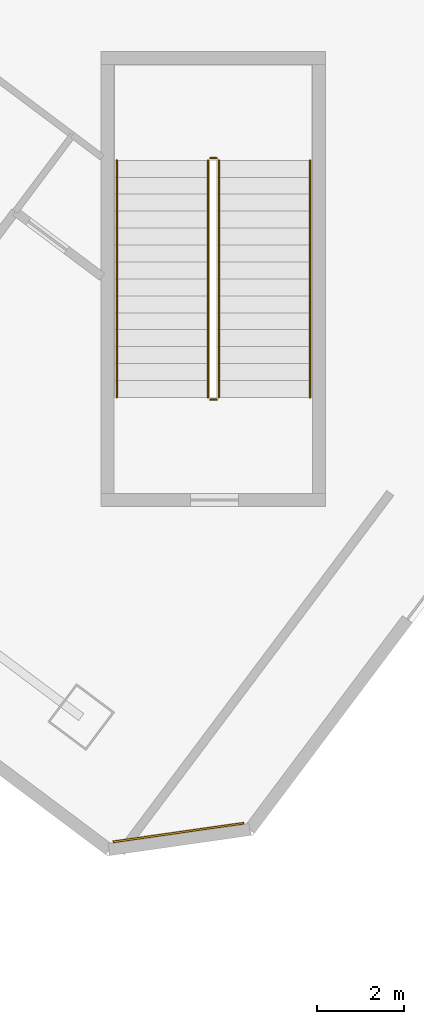
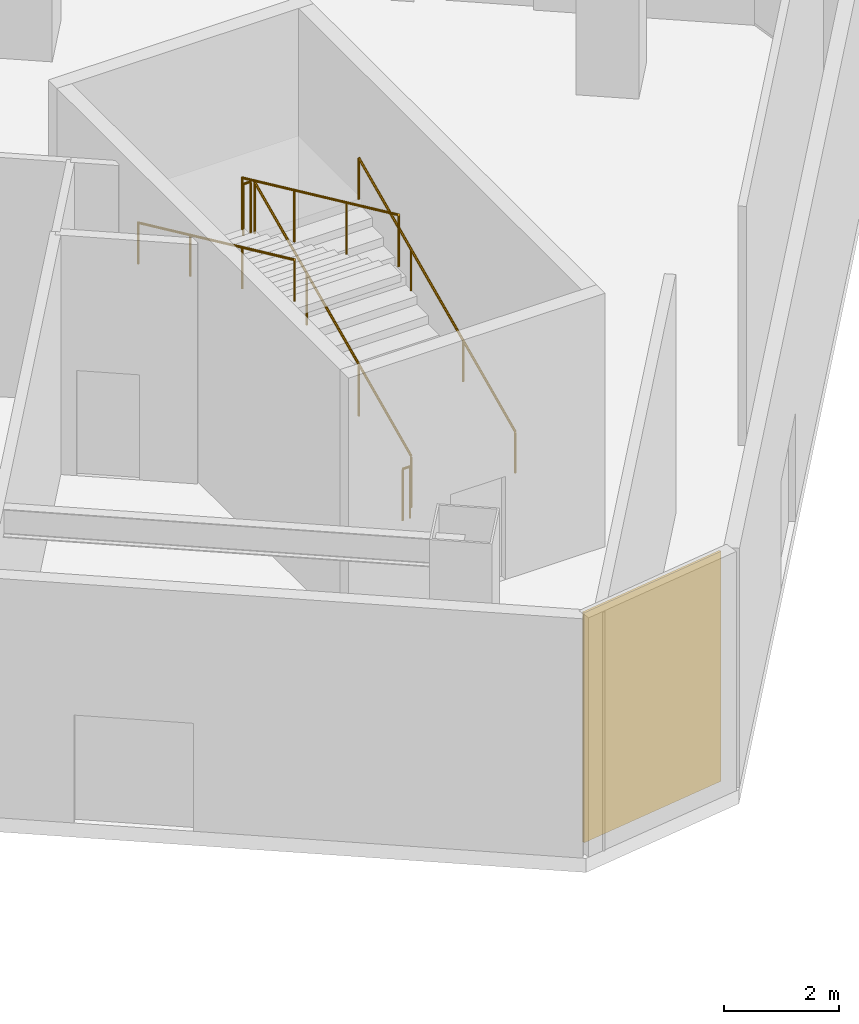
# One storey, part 9 of 13: 6 railings, 1 covering.
"""IFC4 building model written with IfcOpenShell, lengths in metres."""

from ifc_helpers import new_model, si_unit, direction, frame, origin, origin_2d, place, context, subcontext, project, spatial, rectangle, circle, extrude, material, layer, layer_set, type_object, element, save


model = new_model("IFC4")

# Units and contexts
model_context = context("Model", 3, precision=1e-05, world=origin(), true_north=direction((0.0, 1.0)))
body_context = subcontext(model_context, "Body", "Model", "MODEL_VIEW")
ifc_project = project(units=[si_unit("LENGTHUNIT", "METRE"), si_unit("AREAUNIT", "SQUARE_METRE"), si_unit("VOLUMEUNIT", "CUBIC_METRE"), si_unit("PLANEANGLEUNIT", "RADIAN"), si_unit("MASSUNIT", "GRAM", prefix="KILO")], contexts=[model_context])

# Site, building, storey
site_placement = place(None, origin())
site = spatial("IfcSite", under=ifc_project, at=site_placement, CompositionType="ELEMENT")
building_placement = place(site_placement, origin())
building = spatial("IfcBuilding", under=site, at=building_placement, Name="Hatsunagi Terrace Concourse", CompositionType="ELEMENT")
storey_placement = place(building_placement, origin())
storey = spatial("IfcBuildingStorey", under=building, at=storey_placement, Name="L01", CompositionType="ELEMENT", Elevation=0.0)

# Railings
ifc_material_1 = material(Name="Stainless steel", Category="steel")
ifc_layer_1 = layer(ifc_material_1, 0.050048828125)
ifc_layer_set_1 = layer_set([ifc_layer_1], Name="StairPitchHandrail_Podium2200")
railing_type_1 = type_object("IfcRailingType", Name="StairPitchHandrail_Podium2200", PredefinedType="HANDRAIL", material=ifc_layer_set_1)
railing_1_placement = place(storey_placement, frame((59.14990234375, 12.0, 0.179931640625)))
element("IfcRailing", 1, at=railing_1_placement, inside=storey, type_object=railing_type_1, Name="L01 ST-P2 stair handrail 1", PredefinedType="HANDRAIL", context=body_context, shape_type="SweptSolid", body=[
    extrude(circle(Radius=0.02392578125, at=origin_2d()), frame((0.0, 0.0, 0.8759765625), z_axis=(0.0, 0.907957007956, 0.419063326602), x_axis=(-1.0, 0.0, 0.0)), (0.0, 0.0, 1.0), 6.013427734375),
    extrude(circle(Radius=0.02099609375, at=origin_2d()), origin(), (0.0, 0.0, 1.0), 0.851806640625),
    extrude(circle(Radius=0.02099609375, at=origin_2d()), frame((0.0, 1.820068359375, 0.840087890625)), (0.0, 0.0, 1.0), 0.851806640625),
    extrude(circle(Radius=0.02099609375, at=origin_2d()), frame((0.0, 3.639892578125, 1.679931640625)), (0.0, 0.0, 1.0), 0.851806640625),
    extrude(circle(Radius=0.02099609375, at=origin_2d()), frame((0.0, 5.4599609375, 2.52001953125)), (0.0, 0.0, 1.0), 0.851806640625),
])
railing_2_placement = place(storey_placement, frame((54.699951171875, 17.4599609375, 2.8798828125)))
element("IfcRailing", 2, at=railing_2_placement, inside=storey, type_object=railing_type_1, Name="L01 ST-P2 stair handrail 2", PredefinedType="HANDRAIL", context=body_context, shape_type="SweptSolid", body=[
    extrude(circle(Radius=0.02392578125, at=origin_2d()), frame((0.0, 0.0, 0.8759765625), z_axis=(0.0, -0.907957007956, 0.419063326602), x_axis=(1.0, 0.0, 0.0)), (0.0, 0.0, 1.0), 6.013427734375),
    extrude(circle(Radius=0.02099609375, at=origin_2d()), origin(), (0.0, 0.0, 1.0), 0.851806640625),
    extrude(circle(Radius=0.02099609375, at=origin_2d()), frame((0.0, -1.820068359375, 0.840087890625)), (0.0, 0.0, 1.0), 0.851806640625),
    extrude(circle(Radius=0.02099609375, at=origin_2d()), frame((0.0, -3.639892578125, 1.679931640625)), (0.0, 0.0, 1.0), 0.851806640625),
    extrude(circle(Radius=0.02099609375, at=origin_2d()), frame((0.0, -5.4599609375, 2.52001953125)), (0.0, 0.0, 1.0), 0.851806640625),
])
ifc_material_2 = material(Name="Stainless steel", Category="steel")
ifc_layer_2 = layer(ifc_material_2, 0.06494140625)
ifc_layer_set_2 = layer_set([ifc_layer_2], Name="StairWellGuard_Podium2200")
railing_type_2 = type_object("IfcRailingType", Name="StairWellGuard_Podium2200", PredefinedType="BALUSTRADE", material=ifc_layer_set_2)
railing_3_placement = place(storey_placement, frame((57.050048828125, 12.0, 0.179931640625)))
element("IfcRailing", 3, at=railing_3_placement, inside=storey, type_object=railing_type_2, Name="L01 ST-P2 stair guard 1", PredefinedType="BALUSTRADE", context=body_context, shape_type="SweptSolid", body=[
    extrude(circle(Radius=0.02392578125, at=origin_2d()), frame((0.0, 0.0, 1.09619140625), z_axis=(0.0, 0.907957007956, 0.419063326602), x_axis=(-1.0, 0.0, 0.0)), (0.0, 0.0, 1.0), 6.013427734375),
    extrude(circle(Radius=0.02099609375, at=origin_2d()), origin(), (0.0, 0.0, 1.0), 1.072021484375),
    extrude(circle(Radius=0.02099609375, at=origin_2d()), frame((0.0, 1.820068359375, 0.840087890625)), (0.0, 0.0, 1.0), 1.072021484375),
    extrude(circle(Radius=0.02099609375, at=origin_2d()), frame((0.0, 3.639892578125, 1.679931640625)), (0.0, 0.0, 1.0), 1.072021484375),
    extrude(circle(Radius=0.02099609375, at=origin_2d()), frame((0.0, 5.4599609375, 2.52001953125)), (0.0, 0.0, 1.0), 1.072021484375),
])
railing_4_placement = place(storey_placement, frame((57.0, 17.510009765625, 2.699951171875)))
element("IfcRailing", 4, at=railing_4_placement, inside=storey, type_object=railing_type_2, Name="L01 ST-P2 stair guard 2", PredefinedType="BALUSTRADE", context=body_context, shape_type="SweptSolid", body=[
    extrude(circle(Radius=0.02392578125, at=origin_2d()), frame((0.0, 0.0, 1.09619140625), z_axis=(-1.0, 0.0, 0.0), x_axis=(0.0, -1.0, 0.0)), (0.0, 0.0, 1.0), 0.14990234375),
    extrude(circle(Radius=0.02099609375, at=origin_2d()), origin(), (0.0, 0.0, 1.0), 1.072021484375),
    extrude(circle(Radius=0.02099609375, at=origin_2d()), frame((-0.14990234375, 0.0, 0.0)), (0.0, 0.0, 1.0), 1.072021484375),
])
railing_5_placement = place(storey_placement, frame((56.800048828125, 17.4599609375, 2.8798828125)))
element("IfcRailing", 5, at=railing_5_placement, inside=storey, type_object=railing_type_2, Name="L01 ST-P2 stair guard 3", PredefinedType="BALUSTRADE", context=body_context, shape_type="SweptSolid", body=[
    extrude(circle(Radius=0.02392578125, at=origin_2d()), frame((0.0, 0.0, 1.09619140625), z_axis=(0.0, -0.907957007956, 0.419063326602), x_axis=(1.0, 0.0, 0.0)), (0.0, 0.0, 1.0), 6.013427734375),
    extrude(circle(Radius=0.02099609375, at=origin_2d()), origin(), (0.0, 0.0, 1.0), 1.072021484375),
    extrude(circle(Radius=0.02099609375, at=origin_2d()), frame((0.0, -1.820068359375, 0.840087890625)), (0.0, 0.0, 1.0), 1.072021484375),
    extrude(circle(Radius=0.02099609375, at=origin_2d()), frame((0.0, -3.639892578125, 1.679931640625)), (0.0, 0.0, 1.0), 1.072021484375),
    extrude(circle(Radius=0.02099609375, at=origin_2d()), frame((0.0, -5.4599609375, 2.52001953125)), (0.0, 0.0, 1.0), 1.072021484375),
])
railing_6_placement = place(storey_placement, frame((57.0, 11.949951171875, 0.0)))
element("IfcRailing", 6, at=railing_6_placement, inside=storey, type_object=railing_type_2, Name="L01 ST-P2 stair guard 4", PredefinedType="BALUSTRADE", context=body_context, shape_type="SweptSolid", body=[
    extrude(circle(Radius=0.02392578125, at=origin_2d()), frame((0.0, 0.0, 1.09619140625), z_axis=(-1.0, 0.0, 0.0), x_axis=(0.0, -1.0, 0.0)), (0.0, 0.0, 1.0), 0.14990234375),
    extrude(circle(Radius=0.02099609375, at=origin_2d()), origin(), (0.0, 0.0, 1.0), 1.072021484375),
    extrude(circle(Radius=0.02099609375, at=origin_2d()), frame((-0.14990234375, 0.0, 0.0)), (0.0, 0.0, 1.0), 1.072021484375),
])

# Covering
ifc_material_3 = material(Name="Unglazed Warm Terracotta Rainscreen Tile", Category="masonry")
ifc_layer_3 = layer(ifc_material_3, 0.044921875)
ifc_layer_set_3 = layer_set([ifc_layer_3], Name="TerracottaRainscreenCladding_45")
covering_type = type_object("IfcCoveringType", Name="TerracottaRainscreenCladding_45", PredefinedType="CLADDING", material=ifc_layer_set_3)
covering_placement = place(storey_placement, frame((56.117919921875, 1.97900390625, 0.10009765625), z_axis=(0.0, 0.0, 1.0), x_axis=(-0.989973920543, -0.141250262458, 0.0)))
element("IfcCovering", 7, at=covering_placement, inside=storey, type_object=covering_type, Name="Terracotta Rainscreen Cladding L01-04", PredefinedType="CLADDING", context=body_context, shape_type="SweptSolid", body=[
    extrude(rectangle(XDim=3.0380859375, YDim=0.044921875, at=origin_2d()), origin(), (0.0, 0.0, 1.0), 4.89990234375),
])

save(model, "model.ifc")
